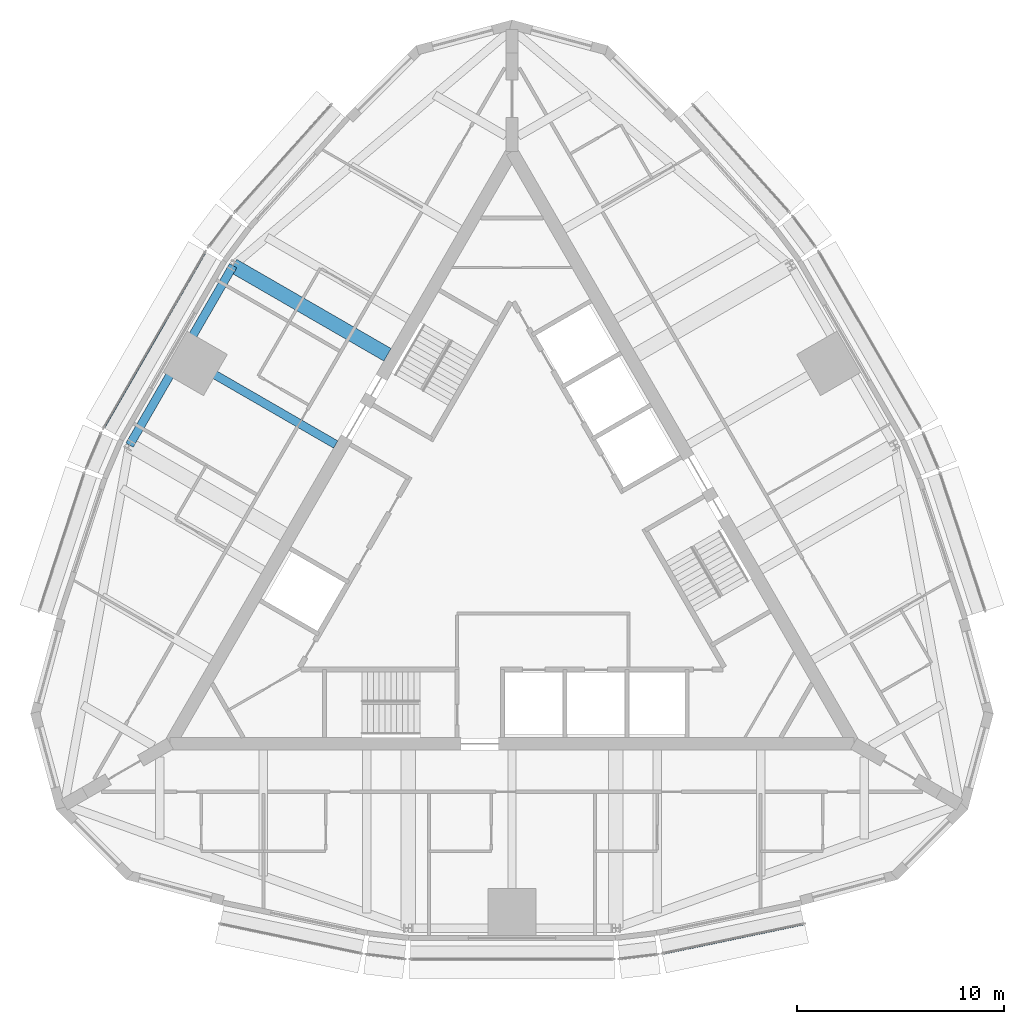
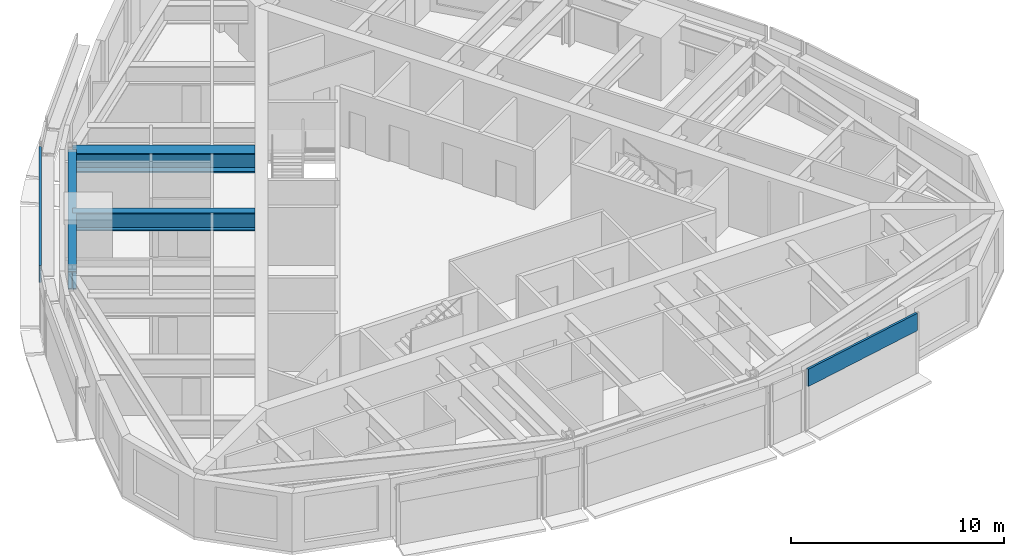
# One storey, part 3 of 12: 3 beams, 2 members, 2 elements without a shape of their own.
"""IFC4 building model written with IfcOpenShell, lengths in metres."""

from ifc_helpers import new_model, si_unit, direction, frame, origin, origin_2d, place, context, subcontext, project, spatial, rectangle, i_section, extrude, material, material_profile, profile_set, type_object, element, aggregate, save


model = new_model("IFC4")

# Units and contexts
model_context = context("Model", 3, precision=1e-05, world=origin(), true_north=direction((0.0, 1.0)))
body_context = subcontext(model_context, "Body", "Model", "MODEL_VIEW")
ifc_project = project(units=[si_unit("LENGTHUNIT", "METRE"), si_unit("AREAUNIT", "SQUARE_METRE"), si_unit("VOLUMEUNIT", "CUBIC_METRE"), si_unit("PLANEANGLEUNIT", "RADIAN"), si_unit("MASSUNIT", "GRAM", prefix="KILO")], contexts=[model_context])

# Site, building, storey
site_placement = place(None, origin())
site = spatial("IfcSite", under=ifc_project, at=site_placement, CompositionType="ELEMENT")
building_placement = place(site_placement, origin())
building = spatial("IfcBuilding", under=site, at=building_placement, Name="Trikona Tower", CompositionType="ELEMENT")
storey_placement = place(building_placement, frame((0.0, 0.0, 271.699951171875)))
storey = spatial("IfcBuildingStorey", under=building, at=storey_placement, Name="L72", CompositionType="ELEMENT", Elevation=271.699951171875)

# Beams
ifc_material_1 = material(Name="Steel ASTM A992 Grade 50", Category="steel")
ifc_material_profile_1 = material_profile(ifc_material_1, i_section(OverallWidth=0.699951171875, OverallDepth=1.10009765625, WebThickness=0.0400390625, FlangeThickness=0.06005859375, at=origin_2d()), Name="PG1100X700")
ifc_profile_set_1 = profile_set([ifc_material_profile_1], Name="Steel ASTM A992 Grade 50")
beam_type_1 = type_object("IfcBeamType", Name="Steel beam PG1100x700 (belt chord radial)", PredefinedType="BEAM", material=ifc_profile_set_1)
beam_1_placement = place(storey_placement, frame((-6.009765625, 9.243408203125, 2.800048828125), z_axis=(-0.866029182723, 0.49999345463, 0.0), x_axis=(-0.49999345463, -0.866029182723, 0.0)))
element("IfcBeam", 1, at=beam_1_placement, inside=storey, type_object=beam_type_1, Name="Floor beam L73 F3 u-5", PredefinedType="BEAM", context=body_context, shape_type="SweptSolid", body=[
    extrude(i_section(OverallWidth=0.699951171875, OverallDepth=1.10009765625, WebThickness=0.0400390625, FlangeThickness=0.06005859375, at=origin_2d()), origin(), (0.0, 0.0, 1.0), 8.60400390625),
])
ifc_material_2 = material(Name="Steel ASTM A992 Grade 50", Category="steel")
ifc_material_profile_2 = material_profile(ifc_material_2, i_section(OverallWidth=0.408935546875, OverallDepth=1.04150390625, WebThickness=0.031005859375, FlangeThickness=0.055908203125, at=origin_2d()), Name="W40X397")
ifc_profile_set_2 = profile_set([ifc_material_profile_2], Name="Steel ASTM A992 Grade 50")
beam_type_2 = type_object("IfcBeamType", Name="Steel beam W40x397 (plant spandrel)", PredefinedType="SPANDREL", material=ifc_profile_set_2)
beam_2_placement = place(storey_placement, frame((-13.461181640625, 13.54541015625, 2.829345703125), z_axis=(-0.499993662806, -0.866029062534, 0.0), x_axis=(0.866029062534, -0.499993662806, 0.0)))
element("IfcBeam", 2, at=beam_2_placement, inside=storey, type_object=beam_type_2, Name="Spandrel beam L73 F3-2", PredefinedType="SPANDREL", context=body_context, shape_type="SweptSolid", body=[
    extrude(i_section(OverallWidth=0.408935546875, OverallDepth=1.04150390625, WebThickness=0.031005859375, FlangeThickness=0.055908203125, at=origin_2d()), origin(), (0.0, 0.0, 1.0), 10.000244140625),
])
ifc_material_3 = material(Name="Steel ASTM A992 Grade 50", Category="steel")
ifc_material_profile_3 = material_profile(ifc_material_3, i_section(OverallWidth=0.408935546875, OverallDepth=1.04150390625, WebThickness=0.031005859375, FlangeThickness=0.055908203125, at=origin_2d()), Name="W40X397")
ifc_profile_set_3 = profile_set([ifc_material_profile_3], Name="Steel ASTM A992 Grade 50")
beam_type_3 = type_object("IfcBeamType", Name="Steel beam W40x397 (plant)", PredefinedType="BEAM", material=ifc_profile_set_3)
beam_3_placement = place(storey_placement, frame((-8.509765625, 4.9130859375, 2.829345703125), z_axis=(-0.866016896067, 0.50001473551, 0.0), x_axis=(-0.50001473551, -0.866016896067, 0.0)))
element("IfcBeam", 3, at=beam_3_placement, inside=storey, type_object=beam_type_3, Name="Floor beam L73 F3 u0", PredefinedType="BEAM", context=body_context, shape_type="SweptSolid", body=[
    extrude(i_section(OverallWidth=0.408935546875, OverallDepth=1.04150390625, WebThickness=0.031005859375, FlangeThickness=0.055908203125, at=origin_2d()), origin(), (0.0, 0.0, 1.0), 8.604248046875),
])

# Curtain wall, member
ifc_material_4 = material(Name="Aluminium curtain wall system", Category="aluminium")
curtain_wall_type = type_object("IfcCurtainWallType", Name="Curtain wall DS3S", PredefinedType="NOTDEFINED", material=ifc_material_4)
curtain_wall_1_placement = place(storey_placement, origin())
curtain_wall_1 = element("IfcCurtainWall", 4, at=curtain_wall_1_placement, inside=storey, type_object=curtain_wall_type, Name="Curtain wall DS3S L72", PredefinedType="NOTDEFINED")
ifc_material_5 = material(Name="Aluminium transom, pale anodised", Category="aluminium")
ifc_material_profile_4 = material_profile(ifc_material_5, rectangle(XDim=0.1201171875, YDim=1.0, at=origin_2d()), Name="TRN-DS3S")
ifc_profile_set_4 = profile_set([ifc_material_profile_4], Name="Aluminium transom, pale anodised")
member_type = type_object("IfcMemberType", Name="Transom DS3S 1000x120", PredefinedType="USERDEFINED", material=ifc_profile_set_4)
member_1_placement = place(storey_placement, frame((7.312255859375, -19.64453125, 3.10009765625), z_axis=(0.978654137783, 0.205514181021, 0.0), x_axis=(-0.205514181021, 0.978654137783, 0.0)))
member_1 = element("IfcMember", 5, at=member_1_placement, type_object=member_type, Name="CW-DS3S transom 1.1", ObjectType="TRANSOM", PredefinedType="USERDEFINED", context=body_context, shape_type="SweptSolid", body=[
    extrude(rectangle(XDim=0.1201171875, YDim=1.0, at=origin_2d()), origin(), (0.0, 0.0, 1.0), 6.892578125),
])
aggregate(curtain_wall_1, [member_1])

curtain_wall_2_placement = place(storey_placement, origin())
curtain_wall_2 = element("IfcCurtainWall", 6, at=curtain_wall_2_placement, inside=storey, type_object=curtain_wall_type, Name="Curtain wall DS3S L72", PredefinedType="NOTDEFINED")
member_2_placement = place(storey_placement, frame((-14.8251953125, 14.182861328125, 3.10009765625), z_axis=(-0.500010305712, -0.866019453697, 0.0), x_axis=(0.866019453697, -0.500010305712, 0.0)))
member_2 = element("IfcMember", 7, at=member_2_placement, type_object=member_type, Name="CW-DS3S transom 1.1", ObjectType="TRANSOM", PredefinedType="USERDEFINED", context=body_context, shape_type="SweptSolid", body=[
    extrude(rectangle(XDim=0.1201171875, YDim=1.0, at=origin_2d()), origin(), (0.0, 0.0, 1.0), 9.739990234375),
])
aggregate(curtain_wall_2, [member_2])

save(model, "model.ifc")
